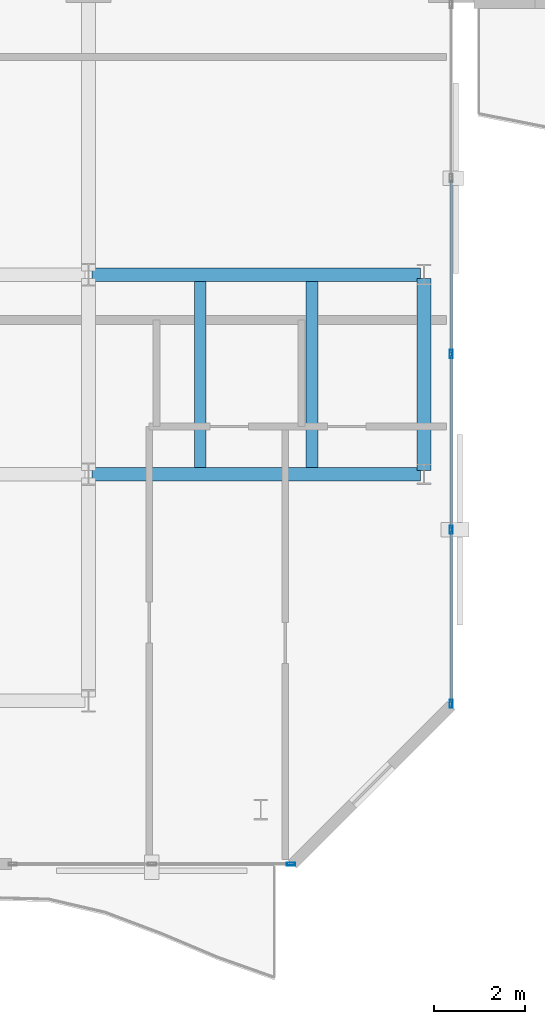
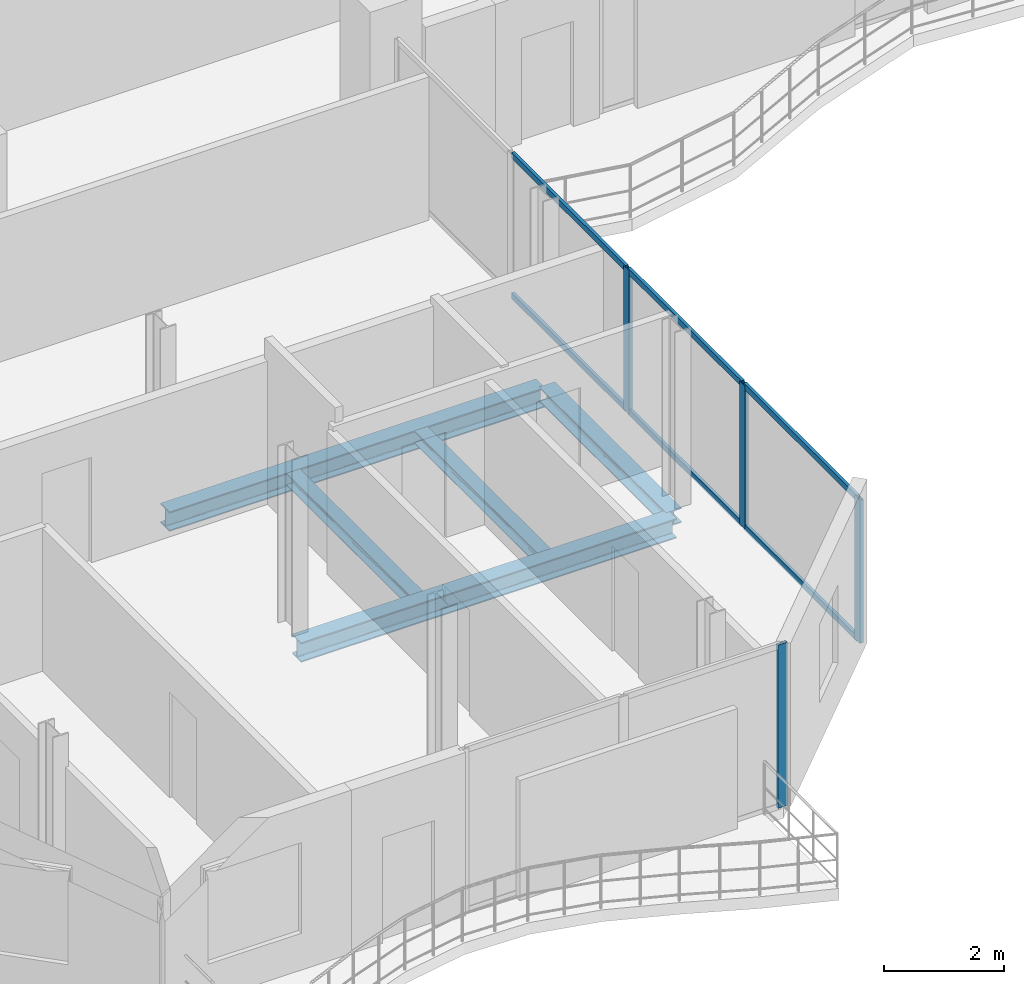
# One storey, part 6 of 23: 10 members, 5 beams, 2 elements without a shape of their own.
"""IFC4 building model written with IfcOpenShell, lengths in metres."""

import ifcopenshell
import ifcopenshell.guid

model = None  # the IFC model being written
_history = None  # IfcOwnerHistory: only IFC2X3 demands one
_inside = {}  # id of a spatial element -> (the spatial element, [elements in it])
_under = {}  # id of a project, library or spatial element -> (it, [spatial elements below it])
_declared = {}  # id of a project -> (the project, [libraries it declares])
_typed = {}  # id of a type object -> (the type object, [elements of that type])
_made_of = {}  # id of a material, layer set ... -> (it, [elements and type objects made of it])


def new_model(schema):
    """Start an empty IFC model of exactly this schema.

    Asked for "IFC4X3", IfcOpenShell would pick the latest addendum, in which some entities
    have other attributes; the version numbers below select the first issue.
    IFC2X3 requires an IfcOwnerHistory on every rooted entity: one is made here for all.
    """
    global model, _history
    if schema == "IFC4X3":
        model = ifcopenshell.file(schema_version=(4, 3, 0, 0))
    else:
        model = ifcopenshell.file(schema=schema)
    _inside.clear()
    _under.clear()
    _declared.clear()
    _typed.clear()
    _made_of.clear()
    _history = None
    if model.schema == "IFC2X3":
        org = make("IfcOrganization", Name="unknown")
        user = make(
            "IfcPersonAndOrganization",
            ThePerson=make("IfcPerson", FamilyName="unknown"),
            TheOrganization=org,
        )
        app = make(
            "IfcApplication",
            ApplicationDeveloper=org,
            Version="unknown",
            ApplicationFullName="unknown",
            ApplicationIdentifier="unknown",
        )
        _history = make(
            "IfcOwnerHistory",
            OwningUser=user,
            OwningApplication=app,
            ChangeAction="ADDED",
            CreationDate=0,
        )
    return model


def make(cls, **values):
    """One entity of the class cls with the attributes given. An attribute that is None is left unset."""
    return model.create_entity(
        cls, **{name: value for name, value in values.items() if value is not None}
    )


def rooted(cls, **values):
    """An entity with a GlobalId (a new one), such as an element, a storey or a relation."""
    return make(cls, GlobalId=ifcopenshell.guid.new(), OwnerHistory=_history, **values)


def si_unit(unit_type, name, prefix=None):
    """IfcSIUnit, for example si_unit("LENGTHUNIT", "METRE", prefix="MILLI")."""
    return make("IfcSIUnit", UnitType=unit_type, Prefix=prefix, Name=name)


def assignment(units):
    """IfcUnitAssignment: the units of a project."""
    return None if units is None else make("IfcUnitAssignment", Units=units)


def point(xyz):
    """IfcCartesianPoint."""
    return None if xyz is None else make("IfcCartesianPoint", Coordinates=xyz)


def direction(xyz):
    """IfcDirection."""
    return None if xyz is None else make("IfcDirection", DirectionRatios=xyz)


def frame(location, z_axis=None, x_axis=None):
    """IfcAxis2Placement3D, a coordinate frame: its origin and axes. An axis left out is left unset."""
    return make(
        "IfcAxis2Placement3D",
        Location=point(location),
        Axis=direction(z_axis),
        RefDirection=direction(x_axis),
    )


def frame_2d(location, x_axis=None):
    """IfcAxis2Placement2D, a coordinate frame in the plane: its origin and x axis."""
    return make(
        "IfcAxis2Placement2D", Location=point(location), RefDirection=direction(x_axis)
    )


def origin():
    """The frame at (0, 0, 0) with its axes left unset."""
    return frame((0.0, 0.0, 0.0))


def origin_2d():
    """The frame at (0, 0) in the plane with its x axis left unset."""
    return frame_2d((0.0, 0.0))


def place(relative_to, where):
    """IfcLocalPlacement: puts the frame where relative to a parent placement (None: the world)."""
    return make(
        "IfcLocalPlacement", PlacementRelTo=relative_to, RelativePlacement=where
    )


def context(
    kind, dimensions, precision=None, world=None, true_north=None, identifier=None
):
    """IfcGeometricRepresentationContext, for example the 3D "Model" context."""
    return make(
        "IfcGeometricRepresentationContext",
        ContextIdentifier=identifier,
        ContextType=kind,
        CoordinateSpaceDimension=dimensions,
        Precision=precision,
        WorldCoordinateSystem=world,
        TrueNorth=true_north,
    )


def subcontext(parent, identifier, kind, view, scale=None):
    """IfcGeometricRepresentationSubContext, for example "Body" below "Model"."""
    return make(
        "IfcGeometricRepresentationSubContext",
        ContextIdentifier=identifier,
        ContextType=kind,
        ParentContext=parent,
        TargetScale=scale,
        TargetView=view,
    )


def project(units=None, contexts=None):
    """IfcProject with its units and contexts."""
    return rooted(
        "IfcProject",
        Name="project",
        RepresentationContexts=contexts,
        UnitsInContext=assignment(units),
    )


def spatial(cls, under=None, at=None, **own):
    """A site, building, storey or space (cls), placed at a placement, below another one or the project."""
    s = rooted(cls, ObjectPlacement=at, **own)
    if under is not None:
        _under.setdefault(under.id(), (under, []))[1].append(s)
    return s


def profile(cls, at=None, kind="AREA", **sizes):
    """A parametric profile (cls). Its sizes go by their IFC names, for example OverallWidth=200.0."""
    return make(cls, ProfileType=kind, Position=at, **sizes)


def hollow_rectangle(**sizes):
    """IfcRectangleHollowProfileDef."""
    return profile("IfcRectangleHollowProfileDef", **sizes)


def i_section(**sizes):
    """IfcIShapeProfileDef."""
    return profile("IfcIShapeProfileDef", **sizes)


def extrude(swept, where, along, depth):
    """IfcExtrudedAreaSolid: the profile swept, set in the frame where, extruded along a direction by depth."""
    return make(
        "IfcExtrudedAreaSolid",
        SweptArea=swept,
        Position=where,
        ExtrudedDirection=direction(along),
        Depth=depth,
    )


def shape(context_of_items, identifier, shape_type, items):
    """IfcShapeRepresentation: the items that make up one representation, for example the "Body"."""
    return make(
        "IfcShapeRepresentation",
        ContextOfItems=context_of_items,
        RepresentationIdentifier=identifier,
        RepresentationType=shape_type,
        Items=items,
    )


def material(Name=None, Category=None):
    """IfcMaterial."""
    return make("IfcMaterial", Name=Name, Category=Category)


def layer(
    of_material, thickness, ventilated=None, Name=None, Category=None, Priority=None
):
    """IfcMaterialLayer: one layer of a wall or slab, of a material (None: an air gap)."""
    return make(
        "IfcMaterialLayer",
        Material=of_material,
        LayerThickness=thickness,
        IsVentilated=ventilated,
        Name=Name,
        Category=Category,
        Priority=Priority,
    )


def layer_set(layers, Name=None):
    """IfcMaterialLayerSet."""
    return make("IfcMaterialLayerSet", MaterialLayers=layers, LayerSetName=Name)


def material_profile(
    of_material, cross_section, Name=None, Category=None, Priority=None
):
    """IfcMaterialProfile: a cross section and its material."""
    return make(
        "IfcMaterialProfile",
        Name=Name,
        Material=of_material,
        Profile=cross_section,
        Priority=Priority,
        Category=Category,
    )


def profile_set(profiles, Name=None, composite=None):
    """IfcMaterialProfileSet."""
    return make(
        "IfcMaterialProfileSet",
        Name=Name,
        MaterialProfiles=profiles,
        CompositeProfile=composite,
    )


def made_of(thing, what):
    """Note that an element or type object is made of a material, layer set ...; save() writes the relation."""
    if what is not None:
        _made_of.setdefault(what.id(), (what, []))[1].append(thing)
    return thing


def type_object(cls, material=None, **own):
    """A type object (cls), such as IfcWallType, which elements share."""
    return made_of(rooted(cls, **own), material)


def element(
    cls,
    number,
    at=None,
    inside=None,
    cuts=None,
    type_object=None,
    material=None,
    context=None,
    identifier="Body",
    shape_type=None,
    held_by="IfcProductDefinitionShape",
    body=None,
    shapes=None,
    **own,
):
    """One element of the class cls, such as IfcWall. Its Tag is "e" and its number.

    at: its placement. inside: the storey or other place that contains it. cuts: it is an
    opening in that element (IfcRelVoidsElement). A single representation is given by context,
    identifier, shape_type and body (its items); several are given by shapes. held_by: the class
    of the entity that holds the representations. save() writes the other relations.
    """
    e = rooted(cls, Tag="e%d" % number, ObjectPlacement=at, **own)
    if body is not None:
        shapes = [shape(context, identifier, shape_type, body)]
    if shapes is not None:
        e.Representation = make(held_by, Representations=shapes)
    if inside is not None:
        _inside.setdefault(inside.id(), (inside, []))[1].append(e)
    if cuts is not None:
        rooted(
            "IfcRelVoidsElement", RelatingBuildingElement=cuts, RelatedOpeningElement=e
        )
    if type_object is not None:
        _typed.setdefault(type_object.id(), (type_object, []))[1].append(e)
    return made_of(e, material)


def aggregate(whole, parts):
    """IfcRelAggregates: a whole, such as a stair, and the parts it consists of."""
    return rooted("IfcRelAggregates", RelatingObject=whole, RelatedObjects=parts)


def save(model, path):
    """Write the relations noted so far, then the file.

    IfcRelAggregates (storeys below a building ...), IfcRelContainedInSpatialStructure (elements
    in a storey), IfcRelDefinesByType, IfcRelAssociatesMaterial and IfcRelDeclares: one each for
    every whole, place, type object, material and project.
    """
    for whole, parts in _under.values():
        aggregate(whole, parts)
    for where, things in _inside.values():
        rooted(
            "IfcRelContainedInSpatialStructure",
            RelatedElements=things,
            RelatingStructure=where,
        )
    for kind, things in _typed.values():
        rooted("IfcRelDefinesByType", RelatedObjects=things, RelatingType=kind)
    for what, things in _made_of.values():
        rooted("IfcRelAssociatesMaterial", RelatedObjects=things, RelatingMaterial=what)
    for by, libraries in _declared.values():
        rooted("IfcRelDeclares", RelatingContext=by, RelatedDefinitions=libraries)
    model.write(path)


model = new_model("IFC4")

# Units and contexts
model_context = context("Model", 3, precision=1e-05, world=origin(), true_north=direction((0.0, 1.0)))
body_context = subcontext(model_context, "Body", "Model", "MODEL_VIEW")
ifc_project = project(units=[si_unit("LENGTHUNIT", "METRE"), si_unit("AREAUNIT", "SQUARE_METRE"), si_unit("VOLUMEUNIT", "CUBIC_METRE"), si_unit("PLANEANGLEUNIT", "RADIAN"), si_unit("MASSUNIT", "GRAM", prefix="KILO")], contexts=[model_context])

# Site, building, storey
site_placement = place(None, origin())
site = spatial("IfcSite", under=ifc_project, at=site_placement, CompositionType="ELEMENT")
building_placement = place(site_placement, origin())
building = spatial("IfcBuilding", under=site, at=building_placement, Name="Catumbela Crestline Tower", CompositionType="ELEMENT")
storey_placement = place(building_placement, frame((0.0, 0.0, 193.8)))
storey = spatial("IfcBuildingStorey", under=building, at=storey_placement, Name="L50", CompositionType="ELEMENT", Elevation=193.8)

# Beams
ifc_material_1 = material(Name="Structural steel S355J2", Category="steel")
ifc_material_profile_1 = material_profile(ifc_material_1, i_section(OverallWidth=0.3, OverallDepth=0.4, WebThickness=0.0135, FlangeThickness=0.024, FilletRadius=0.027, at=origin_2d()), Name="HEB 400")
ifc_profile_set_1 = profile_set([ifc_material_profile_1], Name="Structural steel S355J2")
beam_type_1 = type_object("IfcBeamType", Name="BG-HEB400", PredefinedType="BEAM", material=ifc_profile_set_1)
for number, where, z_axis, x_axis, name in (
    (1, (16.08, 13.6, -0.46), (1.0, 0.0, 0.0), (0.0, 1.0, 0.0), "L50 Beam BM-L50-WEW34"),
    (2, (16.08, 18.0, -0.46), (1.0, 0.0, 0.0), (0.0, 1.0, 0.0), "L50 Beam BM-L50-WEW36"),
):
    element("IfcBeam", number, at=place(storey_placement, frame(where, z_axis=z_axis, x_axis=x_axis)), inside=storey, type_object=beam_type_1, Name=name, PredefinedType="BEAM", context=body_context, shape_type="SweptSolid", body=[
        extrude(i_section(OverallWidth=0.3, OverallDepth=0.4, WebThickness=0.0135, FlangeThickness=0.024, FilletRadius=0.027, at=origin_2d()), origin(), (0.0, 0.0, 1.0), 7.24),
    ])
ifc_material_profile_2 = material_profile(ifc_material_1, i_section(OverallWidth=0.26, OverallDepth=0.25, WebThickness=0.0075, FlangeThickness=0.0125, FilletRadius=0.024, at=origin_2d()), Name="HEA 260")
ifc_profile_set_2 = profile_set([ifc_material_profile_2], Name="Structural steel S355J2")
beam_type_2 = type_object("IfcBeamType", Name="BJ-HEA260", PredefinedType="JOIST", material=ifc_profile_set_2)
for number, where, z_axis, x_axis, name in (
    (3, (18.467, 13.747, -0.385), (0.0, 1.0, 0.0), (-1.0, 0.0, 0.0), "L50 Joist JS-L50-WG48"),
    (4, (20.933, 13.747, -0.385), (0.0, 1.0, 0.0), (-1.0, 0.0, 0.0), "L50 Joist JS-L50-WG49"),
):
    element("IfcBeam", number, at=place(storey_placement, frame(where, z_axis=z_axis, x_axis=x_axis)), inside=storey, type_object=beam_type_2, Name=name, PredefinedType="JOIST", context=body_context, shape_type="SweptSolid", body=[
        extrude(i_section(OverallWidth=0.26, OverallDepth=0.25, WebThickness=0.0075, FlangeThickness=0.0125, FilletRadius=0.024, at=origin_2d()), origin(), (0.0, 0.0, 1.0), 4.106),
    ])

# Curtain wall, member
ifc_material_2 = material(Name="Aluminium alloy AW-6060-T66", Category="aluminium")
ifc_layer = layer(ifc_material_2, 0.18, Name="Aluminium alloy AW-6060-T66")
ifc_layer_set = layer_set([ifc_layer], Name="Aluminium alloy AW-6060-T66")
curtain_wall_type = type_object("IfcCurtainWallType", Name="CWU-Z3", PredefinedType="USERDEFINED", material=ifc_layer_set)
curtain_wall_1_placement = place(storey_placement, origin())
curtain_wall_1 = element("IfcCurtainWall", 5, at=curtain_wall_1_placement, inside=storey, type_object=curtain_wall_type, Name="L50 Unitised Curtain Wall CW-L50-E0S2", ObjectType="UNITISED", PredefinedType="USERDEFINED")
ifc_material_profile_3 = material_profile(ifc_material_2, hollow_rectangle(XDim=0.065, YDim=0.18, WallThickness=0.004, at=origin_2d()), Name="ALU 180x65x4")
ifc_profile_set_3 = profile_set([ifc_material_profile_3], Name="Aluminium alloy AW-6060-T66")
member_type_1 = type_object("IfcMemberType", Name="MUL-180X65", PredefinedType="MULLION", material=ifc_profile_set_3)
member_1_placement = place(storey_placement, frame((20.4675, 5.0, 0.0), z_axis=(0.0, 0.0, 1.0), x_axis=(0.0, 1.0, 0.0)))
member_1 = element("IfcMember", 6, at=member_1_placement, type_object=member_type_1, Name="CWU-Z3 mullion 3", PredefinedType="MULLION", context=body_context, shape_type="SweptSolid", body=[
    extrude(hollow_rectangle(XDim=0.065, YDim=0.18, WallThickness=0.004, at=origin_2d()), origin(), (0.0, 0.0, 1.0), 3.33),
])
aggregate(curtain_wall_1, [member_1])

# Curtain wall, members
curtain_wall_2_placement = place(storey_placement, origin())
curtain_wall_2 = element("IfcCurtainWall", 7, at=curtain_wall_2_placement, inside=storey, type_object=curtain_wall_type, Name="L50 Unitised Curtain Wall CW-L50-E2S1", ObjectType="UNITISED", PredefinedType="USERDEFINED")
member_2_placement = place(storey_placement, frame((24.0, 8.5325, 0.0), z_axis=(0.0, 0.0, 1.0), x_axis=(-1.0, 0.0, 0.0)))
member_2 = element("IfcMember", 8, at=member_2_placement, type_object=member_type_1, Name="CWU-Z3 mullion 1", PredefinedType="MULLION", context=body_context, shape_type="SweptSolid", body=[
    extrude(hollow_rectangle(XDim=0.065, YDim=0.18, WallThickness=0.004, at=origin_2d()), origin(), (0.0, 0.0, 1.0), 2.92),
])
member_3_placement = place(storey_placement, frame((24.0, 12.375, 0.0), z_axis=(0.0, 0.0, 1.0), x_axis=(-1.0, 0.0, 0.0)))
member_3 = element("IfcMember", 9, at=member_3_placement, type_object=member_type_1, Name="CWU-Z3 mullion 2", PredefinedType="MULLION", context=body_context, shape_type="SweptSolid", body=[
    extrude(hollow_rectangle(XDim=0.065, YDim=0.18, WallThickness=0.004, at=origin_2d()), origin(), (0.0, 0.0, 1.0), 2.92),
])
member_4_placement = place(storey_placement, frame((24.0, 16.25, 0.0), z_axis=(0.0, 0.0, 1.0), x_axis=(-1.0, 0.0, 0.0)))
member_4 = element("IfcMember", 10, at=member_4_placement, type_object=member_type_1, Name="CWU-Z3 mullion 3", PredefinedType="MULLION", context=body_context, shape_type="SweptSolid", body=[
    extrude(hollow_rectangle(XDim=0.065, YDim=0.18, WallThickness=0.004, at=origin_2d()), origin(), (0.0, 0.0, 1.0), 2.92),
])

# Beam
ifc_material_profile_4 = material_profile(ifc_material_1, i_section(OverallWidth=0.3, OverallDepth=0.3, WebThickness=0.011, FlangeThickness=0.019, FilletRadius=0.027, at=origin_2d()), Name="HEB 300")
ifc_profile_set_4 = profile_set([ifc_material_profile_4], Name="Structural steel S355J2")
beam_type_3 = type_object("IfcBeamType", Name="BS-HEB300", PredefinedType="SPANDREL", material=ifc_profile_set_4)
beam_placement = place(storey_placement, frame((23.4, 13.68, -0.41), z_axis=(0.0, 1.0, 0.0), x_axis=(-1.0, 0.0, 0.0)))
element("IfcBeam", 11, at=beam_placement, inside=storey, type_object=beam_type_3, Name="L50 Spandrel SP-L50-WNS43", PredefinedType="SPANDREL", context=body_context, shape_type="SweptSolid", body=[
    extrude(i_section(OverallWidth=0.3, OverallDepth=0.3, WebThickness=0.011, FlangeThickness=0.019, FilletRadius=0.027, at=origin_2d()), origin(), (0.0, 0.0, 1.0), 4.24),
])

# Member
ifc_material_profile_5 = material_profile(ifc_material_2, hollow_rectangle(XDim=0.06, YDim=0.12, WallThickness=0.0035, at=origin_2d()), Name="ALU 120x60x3.5")
ifc_profile_set_5 = profile_set([ifc_material_profile_5], Name="Aluminium alloy AW-6060-T66")
member_type_2 = type_object("IfcMemberType", Name="TRN-120X60", PredefinedType="USERDEFINED", material=ifc_profile_set_5)
member_5_placement = place(storey_placement, frame((24.0, 8.565, 0.03), z_axis=(0.0, 1.0, 0.0), x_axis=(-1.0, 0.0, 0.0)))
member_5 = element("IfcMember", 12, at=member_5_placement, type_object=member_type_2, Name="CWU-Z3 transom 1.1", ObjectType="TRANSOM", PredefinedType="USERDEFINED", context=body_context, shape_type="SweptSolid", body=[
    extrude(hollow_rectangle(XDim=0.06, YDim=0.12, WallThickness=0.0035, at=origin_2d()), origin(), (0.0, 0.0, 1.0), 3.7775),
])

member_6_placement = place(storey_placement, frame((24.0, 8.565, 2.89), z_axis=(0.0, 1.0, 0.0), x_axis=(-1.0, 0.0, 0.0)))
member_6 = element("IfcMember", 13, at=member_6_placement, type_object=member_type_2, Name="CWU-Z3 transom 1.2", ObjectType="TRANSOM", PredefinedType="USERDEFINED", context=body_context, shape_type="SweptSolid", body=[
    extrude(hollow_rectangle(XDim=0.06, YDim=0.12, WallThickness=0.0035, at=origin_2d()), origin(), (0.0, 0.0, 1.0), 3.7775),
])

member_7_placement = place(storey_placement, frame((24.0, 12.4075, 0.03), z_axis=(0.0, 1.0, 0.0), x_axis=(-1.0, 0.0, 0.0)))
member_7 = element("IfcMember", 14, at=member_7_placement, type_object=member_type_2, Name="CWU-Z3 transom 2.1", ObjectType="TRANSOM", PredefinedType="USERDEFINED", context=body_context, shape_type="SweptSolid", body=[
    extrude(hollow_rectangle(XDim=0.06, YDim=0.12, WallThickness=0.0035, at=origin_2d()), origin(), (0.0, 0.0, 1.0), 3.81),
])

member_8_placement = place(storey_placement, frame((24.0, 12.4075, 2.89), z_axis=(0.0, 1.0, 0.0), x_axis=(-1.0, 0.0, 0.0)))
member_8 = element("IfcMember", 15, at=member_8_placement, type_object=member_type_2, Name="CWU-Z3 transom 2.2", ObjectType="TRANSOM", PredefinedType="USERDEFINED", context=body_context, shape_type="SweptSolid", body=[
    extrude(hollow_rectangle(XDim=0.06, YDim=0.12, WallThickness=0.0035, at=origin_2d()), origin(), (0.0, 0.0, 1.0), 3.81),
])

member_9_placement = place(storey_placement, frame((24.0, 16.2825, 0.03), z_axis=(0.0, 1.0, 0.0), x_axis=(-1.0, 0.0, 0.0)))
member_9 = element("IfcMember", 16, at=member_9_placement, type_object=member_type_2, Name="CWU-Z3 transom 3.1", ObjectType="TRANSOM", PredefinedType="USERDEFINED", context=body_context, shape_type="SweptSolid", body=[
    extrude(hollow_rectangle(XDim=0.06, YDim=0.12, WallThickness=0.0035, at=origin_2d()), origin(), (0.0, 0.0, 1.0), 3.81),
])

member_10_placement = place(storey_placement, frame((24.0, 16.2825, 2.89), z_axis=(0.0, 1.0, 0.0), x_axis=(-1.0, 0.0, 0.0)))
member_10 = element("IfcMember", 17, at=member_10_placement, type_object=member_type_2, Name="CWU-Z3 transom 3.2", ObjectType="TRANSOM", PredefinedType="USERDEFINED", context=body_context, shape_type="SweptSolid", body=[
    extrude(hollow_rectangle(XDim=0.06, YDim=0.12, WallThickness=0.0035, at=origin_2d()), origin(), (0.0, 0.0, 1.0), 3.81),
])

aggregate(curtain_wall_2, [member_2, member_3, member_4, member_5, member_6, member_7, member_8, member_9, member_10])

save(model, "model.ifc")
